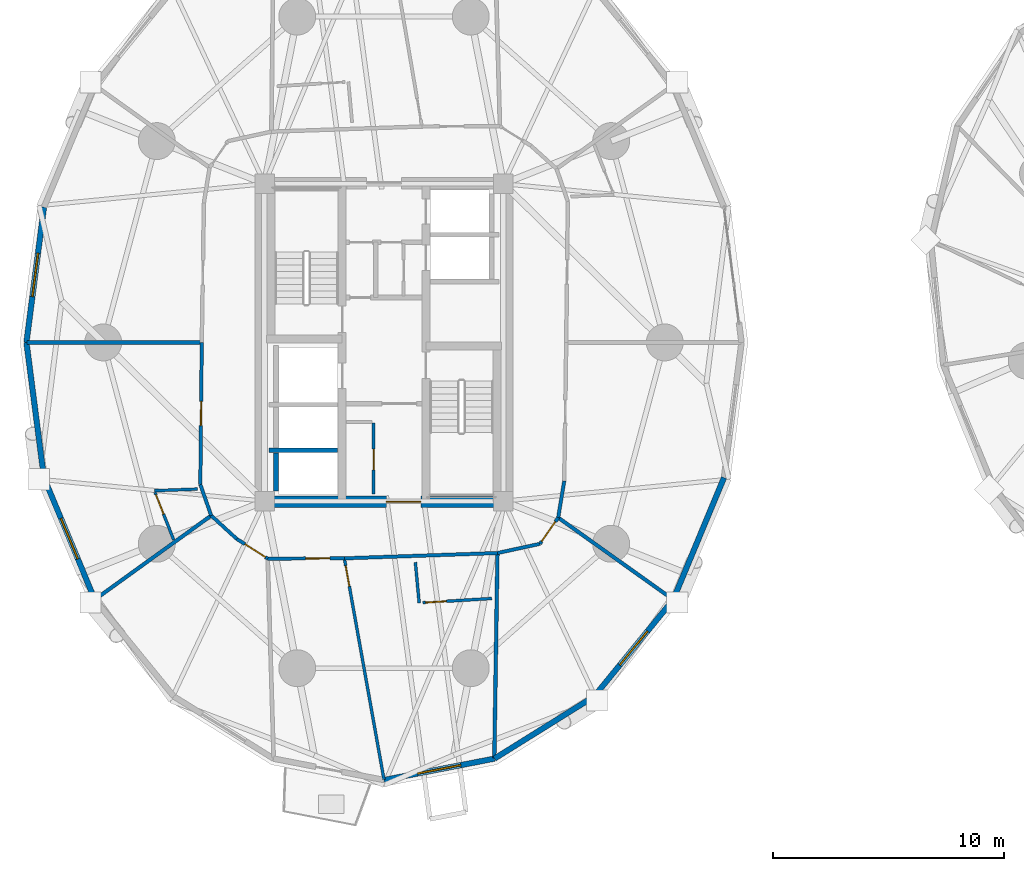
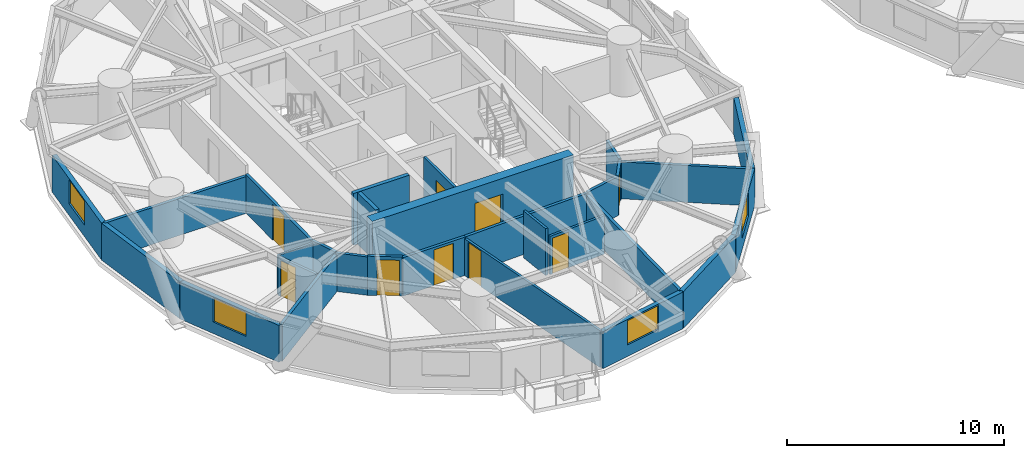
# One storey, part 10 of 19: 29 walls, 9 doors, 4 windows, 13 openings.
"""IFC4 building model written with IfcOpenShell, lengths in metres."""

from ifc_helpers import new_model, si_unit, direction, frame, frame_2d, origin, place, context, subcontext, project, spatial, rectangle, extrude, source, transform, mapped, material, layer, layer_set, type_object, element, fill, save


model = new_model("IFC4")

# Units and contexts
model_context = context("Model", 3, precision=1e-05, world=origin(), true_north=direction((0.0, 1.0)))
body_context = subcontext(model_context, "Body", "Model", "MODEL_VIEW")
ifc_project = project(units=[si_unit("LENGTHUNIT", "METRE"), si_unit("AREAUNIT", "SQUARE_METRE"), si_unit("VOLUMEUNIT", "CUBIC_METRE"), si_unit("PLANEANGLEUNIT", "RADIAN"), si_unit("MASSUNIT", "GRAM", prefix="KILO")], contexts=[model_context])

# Site, building, storey
site_placement = place(None, origin())
site = spatial("IfcSite", under=ifc_project, at=site_placement, CompositionType="ELEMENT")
building_placement = place(site_placement, origin())
building = spatial("IfcBuilding", under=site, at=building_placement, Name="Cununo Teusaquillo Station Towers", CompositionType="ELEMENT")
storey_placement = place(building_placement, frame((0.0, 0.0, 30.72998046875)))
storey = spatial("IfcBuildingStorey", under=building, at=storey_placement, Name="L08", CompositionType="ELEMENT", Elevation=30.72998046875)

# Walls
ifc_material_1 = material(Name="Concrete C50/60", Category="concrete")
ifc_layer_1 = layer(ifc_material_1, 0.199951171875)
ifc_layer_set_1 = layer_set([ifc_layer_1], Name="Concrete C50/60")
wall_type_1 = type_object("IfcWallType", Name="WL-CORE-200", PredefinedType="SHEAR", material=ifc_layer_set_1)
wall_1_placement = place(storey_placement, frame((11.52001953125, 19.824951171875, 0.0), z_axis=(0.0, 0.0, 1.0), x_axis=(1.0, 0.0, 0.0)))
element("IfcWall", 1, at=wall_1_placement, inside=storey, type_object=wall_type_1, Name="L08 Tower A High-Rise Lift Hoistway Divider Shear Wall", PredefinedType="SHEAR", context=body_context, shape_type="SweptSolid", body=[
    extrude(rectangle(XDim=2.969970703125, YDim=0.199951171875, at=frame_2d((1.48486328125, 0.0))), origin(), (0.0, 0.0, 1.0), 2.909912109375),
])
wall_2_placement = place(storey_placement, frame((11.820068359375, 18.070068359375, 0.0), z_axis=(0.0, 0.0, 1.0), x_axis=(0.0, 1.0, 0.0)))
element("IfcWall", 2, at=wall_2_placement, inside=storey, type_object=wall_type_1, Name="L08 Tower A High-Rise Lift 1 Shaft Rear Shear Wall", PredefinedType="SHEAR", context=body_context, shape_type="SweptSolid", body=[
    extrude(rectangle(XDim=1.635009765625, YDim=0.199951171875, at=frame_2d((0.8173828125, 0.0))), origin(), (0.0, 0.0, 1.0), 2.909912109375),
])

# Wall, opening, door
ifc_material_2 = material(Name="Concrete C60/75", Category="concrete")
ifc_layer_2 = layer(ifc_material_2, 0.5)
ifc_layer_set_2 = layer_set([ifc_layer_2], Name="Concrete C60/75")
wall_type_2 = type_object("IfcWallType", Name="WL-CORE-500", PredefinedType="SHEAR", material=ifc_layer_set_2)
wall_3_placement = place(storey_placement, frame((11.14990234375, 17.60009765625, 0.0), z_axis=(0.0, 0.0, 1.0), x_axis=(1.0, 0.0, 0.0)))
wall_3 = element("IfcWall", 3, at=wall_3_placement, inside=storey, type_object=wall_type_2, Name="L08 Tower A Core Shear Wall S", PredefinedType="SHEAR", context=body_context, shape_type="SweptSolid", body=[
    extrude(rectangle(XDim=10.7001953125, YDim=0.5, at=frame_2d((5.35009765625, 0.0))), origin(), (0.0, 0.0, 1.0), 2.909912109375),
])
shared_shape_1 = source(origin(), body_context, "Body", "SweptSolid", [
    extrude(rectangle(XDim=1.5, YDim=2.02001953125, at=frame_2d((0.75, 1.010009765625))), frame((0.0, 0.260009765625, 0.0), z_axis=(0.0, -1.0, 0.0), x_axis=(1.0, 0.0, 0.0)), (0.0, 0.0, 1.0), 0.52001953125),
])
opening_1_placement = place(wall_3_placement, frame((5.449951171875, 0.0, 0.0)))
opening_1 = element("IfcOpeningElement", 4, at=opening_1_placement, cuts=wall_3, Name="Opening D-LB1", PredefinedType="OPENING", context=body_context, shape_type="MappedRepresentation", body=[
    mapped(shared_shape_1, transform((0.0, 0.0, 0.0), x_axis=(1.0, 0.0, 0.0), y_axis=(0.0, 1.0, 0.0), z_axis=(0.0, 0.0, 1.0), scale=1.0)),
])
ifc_material_3 = material(Name="Galvanised fire-rated hollow steel door assembly", Category="steel")
door_type_1 = type_object("IfcDoorType", Name="DR-LOBBY-1500", OperationType="DOUBLE_DOOR_SINGLE_SWING", PredefinedType="DOOR", material=ifc_material_3)
shared_shape_2 = source(origin(), body_context, "Body", "SweptSolid", [
    extrude(rectangle(XDim=1.5, YDim=2.02001953125, at=frame_2d((0.75, 1.010009765625))), frame((0.0, 0.02490234375, 0.0), z_axis=(0.0, -1.0, 0.0), x_axis=(1.0, 0.0, 0.0)), (0.0, 0.0, 1.0), 0.050048828125),
])
door_1_placement = place(opening_1_placement, origin())
door_1 = element("IfcDoor", 5, at=door_1_placement, inside=storey, type_object=door_type_1, Name="L08 Tower A South Core Lift Lobby Door", OperationType="DOUBLE_DOOR_SINGLE_SWING", OverallHeight=2.02001953125, OverallWidth=1.5, PredefinedType="DOOR", context=body_context, shape_type="MappedRepresentation", body=[
    mapped(shared_shape_2, transform((0.0, 0.0, 0.0), x_axis=(1.0, 0.0, 0.0), y_axis=(0.0, 1.0, 0.0), z_axis=(0.0, 0.0, 1.0), scale=1.0)),
])
fill(opening_1, door_1)

# Wall, opening, window
ifc_material_4 = material(Name="Precast concrete C40/50", Category="concrete")
ifc_layer_3 = layer(ifc_material_4, 0.239990234375)
ifc_layer_set_3 = layer_set([ifc_layer_3], Name="Precast concrete C40/50")
wall_type_3 = type_object("IfcWallType", Name="WL-EXT-240", PredefinedType="SOLIDWALL", material=ifc_layer_set_3)
wall_4_placement = place(storey_placement, frame((1.0009765625, 24.5, 0.0), z_axis=(0.0, 0.0, 1.0), x_axis=(0.128329107357, 0.991731637191, 0.0)))
wall_4 = element("IfcWall", 6, at=wall_4_placement, inside=storey, type_object=wall_type_3, Name="L08 Tower A Exterior Facade Wall C09", PredefinedType="SOLIDWALL", context=body_context, shape_type="SweptSolid", body=[
    extrude(rectangle(XDim=5.910888671875, YDim=0.239990234375, at=frame_2d((2.95556640625, 0.0))), origin(), (0.0, 0.0, 1.0), 2.072998046875),
])
shared_shape_3 = source(origin(), body_context, "Body", "SweptSolid", [
    extrude(rectangle(XDim=1.89990234375, YDim=1.35009765625, at=frame_2d((0.949951171875, 0.675048828125))), frame((0.0, 0.1298828125, 0.0), z_axis=(0.0, -1.0, 0.0), x_axis=(1.0, 0.0, 0.0)), (0.0, 0.0, 1.0), 0.260009765625),
])
opening_2_placement = place(wall_4_placement, frame((2.0048828125, 0.0, 0.64990234375)))
opening_2 = element("IfcOpeningElement", 7, at=opening_2_placement, cuts=wall_4, Name="Opening WN-02", PredefinedType="OPENING", context=body_context, shape_type="MappedRepresentation", body=[
    mapped(shared_shape_3, transform((0.0, 0.0, 0.0), x_axis=(1.0, 0.0, 0.0), y_axis=(0.0, 1.0, 0.0), z_axis=(0.0, 0.0, 1.0), scale=1.0)),
])
ifc_material_5 = material(Name="Operable acoustic tinted low-E double glazing", Category="glass")
window_type = type_object("IfcWindowType", Name="WIN-OPER-1900", PartitioningType="DOUBLE_PANEL_VERTICAL", PredefinedType="WINDOW", material=ifc_material_5)
shared_shape_4 = source(origin(), body_context, "Body", "SweptSolid", [
    extrude(rectangle(XDim=1.89990234375, YDim=1.35009765625, at=frame_2d((0.949951171875, 0.675048828125))), frame((0.0, 0.030029296875, 0.0), z_axis=(0.0, -1.0, 0.0), x_axis=(1.0, 0.0, 0.0)), (0.0, 0.0, 1.0), 0.06005859375),
])
window_1_placement = place(opening_2_placement, origin())
window_1 = element("IfcWindow", 8, at=window_1_placement, inside=storey, type_object=window_type, Name="L08 Tower A Facade Window C09", OverallHeight=1.35009765625, OverallWidth=1.89990234375, PartitioningType="DOUBLE_PANEL_VERTICAL", PredefinedType="WINDOW", context=body_context, shape_type="MappedRepresentation", body=[
    mapped(shared_shape_4, transform((0.0, 0.0, 0.0), x_axis=(1.0, 0.0, 0.0), y_axis=(0.0, 1.0, 0.0), z_axis=(0.0, 0.0, 1.0), scale=1.0)),
])
fill(opening_2, window_1)

# Wall
wall_5_placement = place(storey_placement, frame((1.759521484375, 18.637939453125, 0.0), z_axis=(0.0, 0.0, 1.0), x_axis=(-0.128329107357, 0.991731637191, 0.0)))
element("IfcWall", 9, at=wall_5_placement, inside=storey, type_object=wall_type_3, Name="L08 Tower A Exterior Facade Wall C10", PredefinedType="SOLIDWALL", context=body_context, shape_type="SweptSolid", body=[
    extrude(rectangle(XDim=5.910888671875, YDim=0.239990234375, at=frame_2d((2.95556640625, 0.0))), origin(), (0.0, 0.0, 1.0), 2.072998046875),
])

# Wall, opening, window
wall_6_placement = place(storey_placement, frame((3.9609375, 13.349609375, 0.0), z_axis=(0.0, 0.0, 1.0), x_axis=(-0.38430970593, 0.923204229804, 0.0)))
wall_6 = element("IfcWall", 10, at=wall_6_placement, inside=storey, type_object=wall_type_3, Name="L08 Tower A Exterior Facade Wall C11", PredefinedType="SOLIDWALL", context=body_context, shape_type="SweptSolid", body=[
    extrude(rectangle(XDim=5.728271484375, YDim=0.239990234375, at=frame_2d((2.8642578125, 0.0))), origin(), (0.0, 0.0, 1.0), 2.072998046875),
])
opening_3_placement = place(wall_6_placement, frame((1.9140625, 0.0, 0.64990234375)))
opening_3 = element("IfcOpeningElement", 11, at=opening_3_placement, cuts=wall_6, Name="Opening WN-02", PredefinedType="OPENING", context=body_context, shape_type="MappedRepresentation", body=[
    mapped(shared_shape_3, transform((0.0, 0.0, 0.0), x_axis=(1.0, 0.0, 0.0), y_axis=(0.0, 1.0, 0.0), z_axis=(0.0, 0.0, 1.0), scale=1.0)),
])
window_2_placement = place(opening_3_placement, origin())
window_2 = element("IfcWindow", 12, at=window_2_placement, inside=storey, type_object=window_type, Name="L08 Tower A Facade Window C11", OverallHeight=1.35009765625, OverallWidth=1.89990234375, PartitioningType="DOUBLE_PANEL_VERTICAL", PredefinedType="WINDOW", context=body_context, shape_type="MappedRepresentation", body=[
    mapped(shared_shape_4, transform((0.0, 0.0, 0.0), x_axis=(1.0, 0.0, 0.0), y_axis=(0.0, 1.0, 0.0), z_axis=(0.0, 0.0, 1.0), scale=1.0)),
])
fill(opening_3, window_2)

wall_7_placement = place(storey_placement, frame((21.28955078125, 6.45849609375, 0.0), z_axis=(0.0, 0.0, 1.0), x_axis=(-0.981724094622, -0.190309752872, 0.0)))
wall_7 = element("IfcWall", 13, at=wall_7_placement, inside=storey, type_object=wall_type_3, Name="L08 Tower A Exterior Facade Wall C15", PredefinedType="SOLIDWALL", context=body_context, shape_type="SweptSolid", body=[
    extrude(rectangle(XDim=4.878662109375, YDim=0.239990234375, at=frame_2d((2.439453125, 0.0))), origin(), (0.0, 0.0, 1.0), 2.072998046875),
])
opening_4_placement = place(wall_7_placement, frame((1.489013671875, 0.0, 0.64990234375)))
opening_4 = element("IfcOpeningElement", 14, at=opening_4_placement, cuts=wall_7, Name="Opening WN-02", PredefinedType="OPENING", context=body_context, shape_type="MappedRepresentation", body=[
    mapped(shared_shape_3, transform((0.0, 0.0, 0.0), x_axis=(1.0, 0.0, 0.0), y_axis=(0.0, 1.0, 0.0), z_axis=(0.0, 0.0, 1.0), scale=1.0)),
])
window_3_placement = place(opening_4_placement, origin())
window_3 = element("IfcWindow", 15, at=window_3_placement, inside=storey, type_object=window_type, Name="L08 Tower A Facade Window C15", OverallHeight=1.35009765625, OverallWidth=1.89990234375, PartitioningType="DOUBLE_PANEL_VERTICAL", PredefinedType="WINDOW", context=body_context, shape_type="MappedRepresentation", body=[
    mapped(shared_shape_4, transform((0.0, 0.0, 0.0), x_axis=(1.0, 0.0, 0.0), y_axis=(0.0, 1.0, 0.0), z_axis=(0.0, 0.0, 1.0), scale=1.0)),
])
fill(opening_4, window_3)

# Wall
wall_8_placement = place(storey_placement, frame((25.610107421875, 9.15283203125, 0.0), z_axis=(0.0, 0.0, 1.0), x_axis=(-0.848528534887, -0.529149624853, 0.0)))
element("IfcWall", 16, at=wall_8_placement, inside=storey, type_object=wall_type_3, Name="L08 Tower A Exterior Facade Wall C16", PredefinedType="SOLIDWALL", context=body_context, shape_type="SweptSolid", body=[
    extrude(rectangle(XDim=5.091796875, YDim=0.239990234375, at=frame_2d((2.5458984375, 0.0))), origin(), (0.0, 0.0, 1.0), 2.072998046875),
])

# Wall, opening, window
wall_9_placement = place(storey_placement, frame((29.0390625, 13.349609375, 0.0), z_axis=(0.0, 0.0, 1.0), x_axis=(-0.632710215588, -0.774388651189, 0.0)))
wall_9 = element("IfcWall", 17, at=wall_9_placement, inside=storey, type_object=wall_type_3, Name="L08 Tower A Exterior Facade Wall C17", PredefinedType="SOLIDWALL", context=body_context, shape_type="SweptSolid", body=[
    extrude(rectangle(XDim=5.41943359375, YDim=0.239990234375, at=frame_2d((2.709716796875, 0.0))), origin(), (0.0, 0.0, 1.0), 2.072998046875),
])
opening_5_placement = place(wall_9_placement, frame((1.760009765625, 0.0, 0.64990234375)))
opening_5 = element("IfcOpeningElement", 18, at=opening_5_placement, cuts=wall_9, Name="Opening WN-02", PredefinedType="OPENING", context=body_context, shape_type="MappedRepresentation", body=[
    mapped(shared_shape_3, transform((0.0, 0.0, 0.0), x_axis=(1.0, 0.0, 0.0), y_axis=(0.0, 1.0, 0.0), z_axis=(0.0, 0.0, 1.0), scale=1.0)),
])
window_4_placement = place(opening_5_placement, origin())
window_4 = element("IfcWindow", 19, at=window_4_placement, inside=storey, type_object=window_type, Name="L08 Tower A Facade Window C17", OverallHeight=1.35009765625, OverallWidth=1.89990234375, PartitioningType="DOUBLE_PANEL_VERTICAL", PredefinedType="WINDOW", context=body_context, shape_type="MappedRepresentation", body=[
    mapped(shared_shape_4, transform((0.0, 0.0, 0.0), x_axis=(1.0, 0.0, 0.0), y_axis=(0.0, 1.0, 0.0), z_axis=(0.0, 0.0, 1.0), scale=1.0)),
])
fill(opening_5, window_4)

# Wall
wall_10_placement = place(storey_placement, frame((31.240478515625, 18.637939453125, 0.0), z_axis=(0.0, 0.0, 1.0), x_axis=(-0.38430970593, -0.923204229804, 0.0)))
element("IfcWall", 20, at=wall_10_placement, inside=storey, type_object=wall_type_3, Name="L08 Tower A Exterior Facade Wall C18", PredefinedType="SOLIDWALL", context=body_context, shape_type="SweptSolid", body=[
    extrude(rectangle(XDim=5.728271484375, YDim=0.239990234375, at=frame_2d((2.8642578125, 0.0))), origin(), (0.0, 0.0, 1.0), 2.072998046875),
])

# Wall, opening, door
ifc_material_6 = material(Name="Fire-rated gypsum plasterboard partition assembly", Category="gypsum")
ifc_layer_4 = layer(ifc_material_6, 0.125)
ifc_layer_set_4 = layer_set([ifc_layer_4], Name="Fire-rated gypsum plasterboard partition assembly")
wall_type_4 = type_object("IfcWallType", Name="WL-PART-125", PredefinedType="PARTITIONING", material=ifc_layer_set_4)
wall_11_placement = place(storey_placement, frame((16.050048828125, 17.919921875, 0.0), z_axis=(0.0, 0.0, 1.0), x_axis=(0.0, 1.0, 0.0)))
wall_11 = element("IfcWall", 21, at=wall_11_placement, inside=storey, type_object=wall_type_4, Name="L08 Tower A South-West Tall Store East Wall", PredefinedType="PARTITIONING", context=body_context, shape_type="SweptSolid", body=[
    extrude(rectangle(XDim=3.080078125, YDim=0.125, at=frame_2d((1.5400390625, 0.0))), origin(), (0.0, 0.0, 1.0), 2.635009765625),
])
shared_shape_5 = source(origin(), body_context, "Body", "SweptSolid", [
    extrude(rectangle(XDim=0.89990234375, YDim=2.0048828125, at=frame_2d((0.449951171875, 1.00244140625))), frame((0.0, 0.072509765625, 0.0), z_axis=(0.0, -1.0, 0.0), x_axis=(1.0, 0.0, 0.0)), (0.0, 0.0, 1.0), 0.14501953125),
])
opening_6_placement = place(wall_11_placement, frame((1.050048828125, 0.0, 0.0)))
opening_6 = element("IfcOpeningElement", 22, at=opening_6_placement, cuts=wall_11, Name="Opening D-SR1", PredefinedType="OPENING", context=body_context, shape_type="MappedRepresentation", body=[
    mapped(shared_shape_5, transform((0.0, 0.0, 0.0), x_axis=(1.0, 0.0, 0.0), y_axis=(0.0, 1.0, 0.0), z_axis=(0.0, 0.0, 1.0), scale=1.0)),
])
ifc_material_7 = material(Name="Galvanised fire-rated hollow steel door assembly", Category="steel")
door_type_2 = type_object("IfcDoorType", Name="DR-STORE-900", OperationType="NOTDEFINED", PredefinedType="DOOR", material=ifc_material_7)
shared_shape_6 = source(origin(), body_context, "Body", "SweptSolid", [
    extrude(rectangle(XDim=0.89990234375, YDim=2.0048828125, at=frame_2d((0.449951171875, 1.00244140625))), frame((0.0, 0.02490234375, 0.0), z_axis=(0.0, -1.0, 0.0), x_axis=(1.0, 0.0, 0.0)), (0.0, 0.0, 1.0), 0.050048828125),
])
door_2_placement = place(opening_6_placement, origin())
door_2 = element("IfcDoor", 23, at=door_2_placement, inside=storey, type_object=door_type_2, Name="L08 Tower A South Cleaners Store Door", OperationType="SINGLE_SWING_RIGHT", OverallHeight=2.0048828125, OverallWidth=0.89990234375, PredefinedType="DOOR", context=body_context, shape_type="MappedRepresentation", body=[
    mapped(shared_shape_6, transform((0.0, 0.0, 0.0), x_axis=(1.0, 0.0, 0.0), y_axis=(0.0, 1.0, 0.0), z_axis=(0.0, 0.0, 1.0), scale=1.0)),
])
fill(opening_6, door_2)

# Wall
wall_12_placement = place(storey_placement, frame((8.40869140625, 18.142578125, 0.0), z_axis=(0.0, 0.0, 1.0), x_axis=(-0.999294242072, -0.037563516369, 0.0)))
element("IfcWall", 24, at=wall_12_placement, inside=storey, type_object=wall_type_4, Name="L08 Tower A S06 En-suite Side Wall", PredefinedType="PARTITIONING", context=body_context, shape_type="SweptSolid", body=[
    extrude(rectangle(XDim=1.865234375, YDim=0.125, at=frame_2d((0.9326171875, 0.0))), origin(), (0.0, 0.0, 1.0), 2.205078125),
])

# Wall, opening, door
wall_13_placement = place(storey_placement, frame((6.570068359375, 18.0078125, 0.0), z_axis=(0.0, 0.0, 1.0), x_axis=(0.365917141159, -0.930647433675, 0.0)))
wall_13 = element("IfcWall", 25, at=wall_13_placement, inside=storey, type_object=wall_type_4, Name="L08 Tower A S06 En-suite Back Wall", PredefinedType="PARTITIONING", context=body_context, shape_type="SweptSolid", body=[
    extrude(rectangle(XDim=2.22509765625, YDim=0.125, at=frame_2d((1.112548828125, 0.0))), origin(), (0.0, 0.0, 1.0), 2.158935546875),
])
opening_7_placement = place(wall_13_placement, frame((0.1201171875, 0.0, 0.0)))
opening_7 = element("IfcOpeningElement", 26, at=opening_7_placement, cuts=wall_13, Name="Opening D-IN1", PredefinedType="OPENING", context=body_context, shape_type="MappedRepresentation", body=[
    mapped(shared_shape_5, transform((0.0, 0.0, 0.0), x_axis=(1.0, 0.0, 0.0), y_axis=(0.0, 1.0, 0.0), z_axis=(0.0, 0.0, 1.0), scale=1.0)),
])
ifc_material_8 = material(Name="Acoustic solid-core hardwood leaf assembly", Category="wood")
door_type_3 = type_object("IfcDoorType", Name="DR-INT-900", OperationType="NOTDEFINED", PredefinedType="DOOR", material=ifc_material_8)
door_3_placement = place(opening_7_placement, origin())
door_3 = element("IfcDoor", 27, at=door_3_placement, inside=storey, type_object=door_type_3, Name="L08 Tower A S06 En-suite Bathroom Door", OperationType="SINGLE_SWING_RIGHT", OverallHeight=2.0048828125, OverallWidth=0.89990234375, PredefinedType="DOOR", context=body_context, shape_type="MappedRepresentation", body=[
    mapped(shared_shape_6, transform((0.0, 0.0, 0.0), x_axis=(1.0, 0.0, 0.0), y_axis=(0.0, 1.0, 0.0), z_axis=(0.0, 0.0, 1.0), scale=1.0)),
])
fill(opening_7, door_3)

wall_14_placement = place(storey_placement, frame((14.781005859375, 15.140625, 0.0), z_axis=(0.0, 0.0, 1.0), x_axis=(0.176426287524, -0.984313854962, 0.0)))
wall_14 = element("IfcWall", 28, at=wall_14_placement, inside=storey, type_object=wall_type_4, Name="L08 Tower A Diplomatic Corner Hotel Suite Suite Subdividing Wall", PredefinedType="PARTITIONING", context=body_context, shape_type="SweptSolid", body=[
    extrude(rectangle(XDim=9.743408203125, YDim=0.125, at=frame_2d((4.87158203125, 0.0))), origin(), (0.0, 0.0, 1.0), 2.072998046875),
])
opening_8_placement = place(wall_14_placement, frame((0.330078125, 0.0, 0.0)))
opening_8 = element("IfcOpeningElement", 29, at=opening_8_placement, cuts=wall_14, Name="Opening D-IN1", PredefinedType="OPENING", context=body_context, shape_type="MappedRepresentation", body=[
    mapped(shared_shape_5, transform((0.0, 0.0, 0.0), x_axis=(1.0, 0.0, 0.0), y_axis=(0.0, 1.0, 0.0), z_axis=(0.0, 0.0, 1.0), scale=1.0)),
])
door_4_placement = place(opening_8_placement, origin())
door_4 = element("IfcDoor", 30, at=door_4_placement, inside=storey, type_object=door_type_3, Name="L08 Tower A Diplomatic Corner Hotel Suite Suite Connecting Door", OperationType="SINGLE_SWING_LEFT", OverallHeight=2.0048828125, OverallWidth=0.89990234375, PredefinedType="DOOR", context=body_context, shape_type="MappedRepresentation", body=[
    mapped(shared_shape_6, transform((0.0, 0.0, 0.0), x_axis=(1.0, 0.0, 0.0), y_axis=(0.0, 1.0, 0.0), z_axis=(0.0, 0.0, 1.0), scale=1.0)),
])
fill(opening_8, door_4)

# Wall
wall_15_placement = place(storey_placement, frame((17.8603515625, 14.967529296875, 0.0), z_axis=(0.0, 0.0, 1.0), x_axis=(0.093037102593, -0.995662642435, 0.0)))
element("IfcWall", 31, at=wall_15_placement, inside=storey, type_object=wall_type_4, Name="L08 Tower A S08 En-suite Side Wall", PredefinedType="PARTITIONING", context=body_context, shape_type="SweptSolid", body=[
    extrude(rectangle(XDim=1.7685546875, YDim=0.125, at=frame_2d((0.88427734375, 0.0))), origin(), (0.0, 0.0, 1.0), 2.635009765625),
])

# Wall, opening, door
wall_16_placement = place(storey_placement, frame((18.1806640625, 13.216064453125, 0.0), z_axis=(0.0, 0.0, 1.0), x_axis=(0.998120468621, 0.061282380177, 0.0)))
wall_16 = element("IfcWall", 32, at=wall_16_placement, inside=storey, type_object=wall_type_4, Name="L08 Tower A S08 En-suite Back Wall", PredefinedType="PARTITIONING", context=body_context, shape_type="SweptSolid", body=[
    extrude(rectangle(XDim=2.995849609375, YDim=0.125, at=frame_2d((1.498046875, 0.0))), origin(), (0.0, 0.0, 1.0), 2.158935546875),
])
opening_9_placement = place(wall_16_placement, frame((0.1201171875, 0.0, 0.0)))
opening_9 = element("IfcOpeningElement", 33, at=opening_9_placement, cuts=wall_16, Name="Opening D-IN1", PredefinedType="OPENING", context=body_context, shape_type="MappedRepresentation", body=[
    mapped(shared_shape_5, transform((0.0, 0.0, 0.0), x_axis=(1.0, 0.0, 0.0), y_axis=(0.0, 1.0, 0.0), z_axis=(0.0, 0.0, 1.0), scale=1.0)),
])
door_5_placement = place(opening_9_placement, origin())
door_5 = element("IfcDoor", 34, at=door_5_placement, inside=storey, type_object=door_type_3, Name="L08 Tower A S08 En-suite Bathroom Door", OperationType="SINGLE_SWING_RIGHT", OverallHeight=2.0048828125, OverallWidth=0.89990234375, PredefinedType="DOOR", context=body_context, shape_type="MappedRepresentation", body=[
    mapped(shared_shape_6, transform((0.0, 0.0, 0.0), x_axis=(1.0, 0.0, 0.0), y_axis=(0.0, 1.0, 0.0), z_axis=(0.0, 0.0, 1.0), scale=1.0)),
])
fill(opening_9, door_5)

ifc_material_9 = material(Name="Fire-rated gypsum plasterboard partition assembly", Category="gypsum")
ifc_layer_5 = layer(ifc_material_9, 0.14990234375)
ifc_layer_set_5 = layer_set([ifc_layer_5], Name="Fire-rated gypsum plasterboard partition assembly")
wall_type_5 = type_object("IfcWallType", Name="WL-PART-150", PredefinedType="PARTITIONING", material=ifc_layer_set_5)
wall_17_placement = place(storey_placement, frame((8.60009765625, 24.5, 0.0), z_axis=(0.0, 0.0, 1.0), x_axis=(-0.010023665349, -0.999949761805, 0.0)))
wall_17 = element("IfcWall", 35, at=wall_17_placement, inside=storey, type_object=wall_type_5, Name="L08 Tower A Corridor Ring Wall C10", PredefinedType="PARTITIONING", context=body_context, shape_type="SweptSolid", body=[
    extrude(rectangle(XDim=6.162109375, YDim=0.14990234375, at=frame_2d((3.0810546875, 0.0))), origin(), (0.0, 0.0, 1.0), 2.158935546875),
])
shared_shape_7 = source(origin(), body_context, "Body", "SweptSolid", [
    extrude(rectangle(XDim=1.050048828125, YDim=2.014892578125, at=frame_2d((0.52490234375, 1.00732421875))), frame((0.0, 0.0849609375, 0.0), z_axis=(0.0, -1.0, 0.0), x_axis=(1.0, 0.0, 0.0)), (0.0, 0.0, 1.0), 0.169921875),
])
opening_10_placement = place(wall_17_placement, frame((2.55615234375, 0.0, 0.0)))
opening_10 = element("IfcOpeningElement", 36, at=opening_10_placement, cuts=wall_17, Name="Opening D-SU1", PredefinedType="OPENING", context=body_context, shape_type="MappedRepresentation", body=[
    mapped(shared_shape_7, transform((0.0, 0.0, 0.0), x_axis=(1.0, 0.0, 0.0), y_axis=(0.0, 1.0, 0.0), z_axis=(0.0, 0.0, 1.0), scale=1.0)),
])
ifc_material_10 = material(Name="Acoustic solid-core hardwood leaf assembly", Category="wood")
door_type_4 = type_object("IfcDoorType", Name="DR-SUITE-1050", OperationType="NOTDEFINED", PredefinedType="DOOR", material=ifc_material_10)
shared_shape_8 = source(origin(), body_context, "Body", "SweptSolid", [
    extrude(rectangle(XDim=1.050048828125, YDim=2.014892578125, at=frame_2d((0.52490234375, 1.00732421875))), frame((0.0, 0.02490234375, 0.0), z_axis=(0.0, -1.0, 0.0), x_axis=(1.0, 0.0, 0.0)), (0.0, 0.0, 1.0), 0.050048828125),
])
door_6_placement = place(opening_10_placement, origin())
door_6 = element("IfcDoor", 37, at=door_6_placement, inside=storey, type_object=door_type_4, Name="L08 Tower A Ambassador Hospitality Suite Entrance Door", OperationType="SINGLE_SWING_LEFT", OverallHeight=2.014892578125, OverallWidth=1.050048828125, PredefinedType="DOOR", context=body_context, shape_type="MappedRepresentation", body=[
    mapped(shared_shape_8, transform((0.0, 0.0, 0.0), x_axis=(1.0, 0.0, 0.0), y_axis=(0.0, 1.0, 0.0), z_axis=(0.0, 0.0, 1.0), scale=1.0)),
])
fill(opening_10, door_6)

# Walls
wall_18_placement = place(storey_placement, frame((8.538330078125, 18.338134765625, 0.0), z_axis=(0.0, 0.0, 1.0), x_axis=(0.331358150167, -0.94350504838, 0.0)))
element("IfcWall", 38, at=wall_18_placement, inside=storey, type_object=wall_type_5, Name="L08 Tower A Corridor Ring Wall C11", PredefinedType="PARTITIONING", context=body_context, shape_type="SweptSolid", body=[
    extrude(rectangle(XDim=1.42431640625, YDim=0.14990234375, at=frame_2d((0.712158203125, 0.0))), origin(), (0.0, 0.0, 1.0), 2.205078125),
])
wall_19_placement = place(storey_placement, frame((9.01025390625, 16.994384765625, 0.0), z_axis=(0.0, 0.0, 1.0), x_axis=(0.737701798986, -0.67512669609, 0.0)))
element("IfcWall", 39, at=wall_19_placement, inside=storey, type_object=wall_type_5, Name="L08 Tower A Corridor Ring Wall C12", PredefinedType="PARTITIONING", context=body_context, shape_type="SweptSolid", body=[
    extrude(rectangle(XDim=1.498291015625, YDim=0.14990234375, at=frame_2d((0.7490234375, 0.0))), origin(), (0.0, 0.0, 1.0), 2.158935546875),
])

# Wall, opening, door
wall_20_placement = place(storey_placement, frame((10.115478515625, 15.98291015625, 0.0), z_axis=(0.0, 0.0, 1.0), x_axis=(0.843995849351, -0.536349705209, 0.0)))
wall_20 = element("IfcWall", 40, at=wall_20_placement, inside=storey, type_object=wall_type_5, Name="L08 Tower A Corridor Ring Wall C13", PredefinedType="PARTITIONING", context=body_context, shape_type="SweptSolid", body=[
    extrude(rectangle(XDim=1.5927734375, YDim=0.14990234375, at=frame_2d((0.79638671875, 0.0))), origin(), (0.0, 0.0, 1.0), 2.205078125),
])
opening_11_placement = place(wall_20_placement, frame((0.422607421875, 0.0, 0.0)))
opening_11 = element("IfcOpeningElement", 41, at=opening_11_placement, cuts=wall_20, Name="Opening D-SU1", PredefinedType="OPENING", context=body_context, shape_type="MappedRepresentation", body=[
    mapped(shared_shape_7, transform((0.0, 0.0, 0.0), x_axis=(1.0, 0.0, 0.0), y_axis=(0.0, 1.0, 0.0), z_axis=(0.0, 0.0, 1.0), scale=1.0)),
])
door_7_placement = place(opening_11_placement, origin())
door_7 = element("IfcDoor", 42, at=door_7_placement, inside=storey, type_object=door_type_4, Name="L08 Tower A Hotel Tea & Reading Salon Entrance Door", OperationType="SINGLE_SWING_LEFT", OverallHeight=2.014892578125, OverallWidth=1.050048828125, PredefinedType="DOOR", context=body_context, shape_type="MappedRepresentation", body=[
    mapped(shared_shape_8, transform((0.0, 0.0, 0.0), x_axis=(1.0, 0.0, 0.0), y_axis=(0.0, 1.0, 0.0), z_axis=(0.0, 0.0, 1.0), scale=1.0)),
])
fill(opening_11, door_7)

wall_21_placement = place(storey_placement, frame((11.459716796875, 15.128662109375, 0.0), z_axis=(0.0, 0.0, 1.0), x_axis=(0.999993513287, 0.003601858435, 0.0)))
wall_21 = element("IfcWall", 43, at=wall_21_placement, inside=storey, type_object=wall_type_5, Name="L08 Tower A Corridor Ring Wall C14", PredefinedType="PARTITIONING", context=body_context, shape_type="SweptSolid", body=[
    extrude(rectangle(XDim=3.3212890625, YDim=0.14990234375, at=frame_2d((1.66064453125, 0.0))), origin(), (0.0, 0.0, 1.0), 2.158935546875),
])
opening_12_placement = place(wall_21_placement, frame((1.643310546875, 0.0, 0.0)))
opening_12 = element("IfcOpeningElement", 44, at=opening_12_placement, cuts=wall_21, Name="Opening D-SU1", PredefinedType="OPENING", context=body_context, shape_type="MappedRepresentation", body=[
    mapped(shared_shape_7, transform((0.0, 0.0, 0.0), x_axis=(1.0, 0.0, 0.0), y_axis=(0.0, 1.0, 0.0), z_axis=(0.0, 0.0, 1.0), scale=1.0)),
])
door_8_placement = place(opening_12_placement, origin())
door_8 = element("IfcDoor", 45, at=door_8_placement, inside=storey, type_object=door_type_4, Name="L08 Tower A Diplomatic Corner Hotel Suite Entrance Door", OperationType="SINGLE_SWING_RIGHT", OverallHeight=2.014892578125, OverallWidth=1.050048828125, PredefinedType="DOOR", context=body_context, shape_type="MappedRepresentation", body=[
    mapped(shared_shape_8, transform((0.0, 0.0, 0.0), x_axis=(1.0, 0.0, 0.0), y_axis=(0.0, 1.0, 0.0), z_axis=(0.0, 0.0, 1.0), scale=1.0)),
])
fill(opening_12, door_8)

# Walls
wall_22_placement = place(storey_placement, frame((14.781005859375, 15.140625, 0.0), z_axis=(0.0, 0.0, 1.0), x_axis=(0.999407918707, 0.034406569513, 0.0)))
element("IfcWall", 46, at=wall_22_placement, inside=storey, type_object=wall_type_5, Name="L08 Tower A Corridor Ring Wall C15", PredefinedType="PARTITIONING", context=body_context, shape_type="SweptSolid", body=[
    extrude(rectangle(XDim=6.6416015625, YDim=0.14990234375, at=frame_2d((3.32080078125, 0.0))), origin(), (0.0, 0.0, 1.0), 2.158935546875),
])
wall_23_placement = place(storey_placement, frame((21.418701171875, 15.369140625, 0.0), z_axis=(0.0, 0.0, 1.0), x_axis=(0.977192701953, 0.212354475464, 0.0)))
element("IfcWall", 47, at=wall_23_placement, inside=storey, type_object=wall_type_5, Name="L08 Tower A Corridor Ring Wall C16", PredefinedType="PARTITIONING", context=body_context, shape_type="SweptSolid", body=[
    extrude(rectangle(XDim=1.8876953125, YDim=0.14990234375, at=frame_2d((0.94384765625, 0.0))), origin(), (0.0, 0.0, 1.0), 2.205078125),
])

# Wall, opening, door
wall_24_placement = place(storey_placement, frame((23.263427734375, 15.77001953125, 0.0), z_axis=(0.0, 0.0, 1.0), x_axis=(0.570743456919, 0.821128434768, 0.0)))
wall_24 = element("IfcWall", 48, at=wall_24_placement, inside=storey, type_object=wall_type_5, Name="L08 Tower A Corridor Ring Wall C17", PredefinedType="PARTITIONING", context=body_context, shape_type="SweptSolid", body=[
    extrude(rectangle(XDim=1.381591796875, YDim=0.14990234375, at=frame_2d((0.69091796875, 0.0))), origin(), (0.0, 0.0, 1.0), 2.158935546875),
])
opening_13_placement = place(wall_24_placement, frame((0.1201171875, 0.0, 0.0)))
opening_13 = element("IfcOpeningElement", 49, at=opening_13_placement, cuts=wall_24, Name="Opening D-SU1", PredefinedType="OPENING", context=body_context, shape_type="MappedRepresentation", body=[
    mapped(shared_shape_7, transform((0.0, 0.0, 0.0), x_axis=(1.0, 0.0, 0.0), y_axis=(0.0, 1.0, 0.0), z_axis=(0.0, 0.0, 1.0), scale=1.0)),
])
door_9_placement = place(opening_13_placement, origin())
door_9 = element("IfcDoor", 50, at=door_9_placement, inside=storey, type_object=door_type_4, Name="L08 Tower A Hotel Housekeeping & Linen Pantry Entrance Door", OperationType="SINGLE_SWING_LEFT", OverallHeight=2.014892578125, OverallWidth=1.050048828125, PredefinedType="DOOR", context=body_context, shape_type="MappedRepresentation", body=[
    mapped(shared_shape_8, transform((0.0, 0.0, 0.0), x_axis=(1.0, 0.0, 0.0), y_axis=(0.0, 1.0, 0.0), z_axis=(0.0, 0.0, 1.0), scale=1.0)),
])
fill(opening_13, door_9)

# Walls
wall_25_placement = place(storey_placement, frame((24.052001953125, 16.904541015625, 0.0), z_axis=(0.0, 0.0, 1.0), x_axis=(0.162091534225, 0.986775726562, 0.0)))
element("IfcWall", 51, at=wall_25_placement, inside=storey, type_object=wall_type_5, Name="L08 Tower A Corridor Ring Wall C18", PredefinedType="PARTITIONING", context=body_context, shape_type="SweptSolid", body=[
    extrude(rectangle(XDim=1.613037109375, YDim=0.14990234375, at=frame_2d((0.806640625, 0.0))), origin(), (0.0, 0.0, 1.0), 2.205078125),
])
ifc_material_11 = material(Name="Fire-rated gypsum plasterboard partition assembly", Category="gypsum")
ifc_layer_6 = layer(ifc_material_11, 0.159912109375)
ifc_layer_set_6 = layer_set([ifc_layer_6], Name="Fire-rated gypsum plasterboard partition assembly")
wall_type_6 = type_object("IfcWallType", Name="WL-PART-160", PredefinedType="PARTITIONING", material=ifc_layer_set_6)
wall_26_placement = place(storey_placement, frame((8.60009765625, 24.5, 0.0), z_axis=(0.0, 0.0, 1.0), x_axis=(-1.0, 0.0, 0.0)))
element("IfcWall", 52, at=wall_26_placement, inside=storey, type_object=wall_type_6, Name="L08 Tower A Radial Suite Partition R06", PredefinedType="PARTITIONING", context=body_context, shape_type="SweptSolid", body=[
    extrude(rectangle(XDim=7.5791015625, YDim=0.159912109375, at=frame_2d((3.78955078125, 0.0))), origin(), (0.0, 0.0, 1.0), 2.072998046875),
])
wall_27_placement = place(storey_placement, frame((9.01025390625, 16.994384765625, 0.0), z_axis=(0.0, 0.0, 1.0), x_axis=(-0.810839958558, -0.585267940012, 0.0)))
element("IfcWall", 53, at=wall_27_placement, inside=storey, type_object=wall_type_6, Name="L08 Tower A Radial Suite Partition R07", PredefinedType="PARTITIONING", context=body_context, shape_type="SweptSolid", body=[
    extrude(rectangle(XDim=6.20703125, YDim=0.159912109375, at=frame_2d((3.103515625, 0.0))), origin(), (0.0, 0.0, 1.0), 2.072998046875),
])
wall_28_placement = place(storey_placement, frame((21.418701171875, 15.369140625, 0.0), z_axis=(0.0, 0.0, 1.0), x_axis=(-0.015237110632, -0.999883908491, 0.0)))
element("IfcWall", 54, at=wall_28_placement, inside=storey, type_object=wall_type_6, Name="L08 Tower A Radial Suite Partition R09", PredefinedType="PARTITIONING", context=body_context, shape_type="SweptSolid", body=[
    extrude(rectangle(XDim=8.892578125, YDim=0.159912109375, at=frame_2d((4.4462890625, 0.0))), origin(), (0.0, 0.0, 1.0), 2.072998046875),
])
wall_29_placement = place(storey_placement, frame((24.052001953125, 16.904541015625, 0.0), z_axis=(0.0, 0.0, 1.0), x_axis=(0.814316784985, -0.580420686822, 0.0)))
element("IfcWall", 55, at=wall_29_placement, inside=storey, type_object=wall_type_6, Name="L08 Tower A Radial Suite Partition R10", PredefinedType="PARTITIONING", context=body_context, shape_type="SweptSolid", body=[
    extrude(rectangle(XDim=6.104248046875, YDim=0.159912109375, at=frame_2d((3.05224609375, 0.0))), origin(), (0.0, 0.0, 1.0), 2.072998046875),
])

save(model, "model.ifc")
